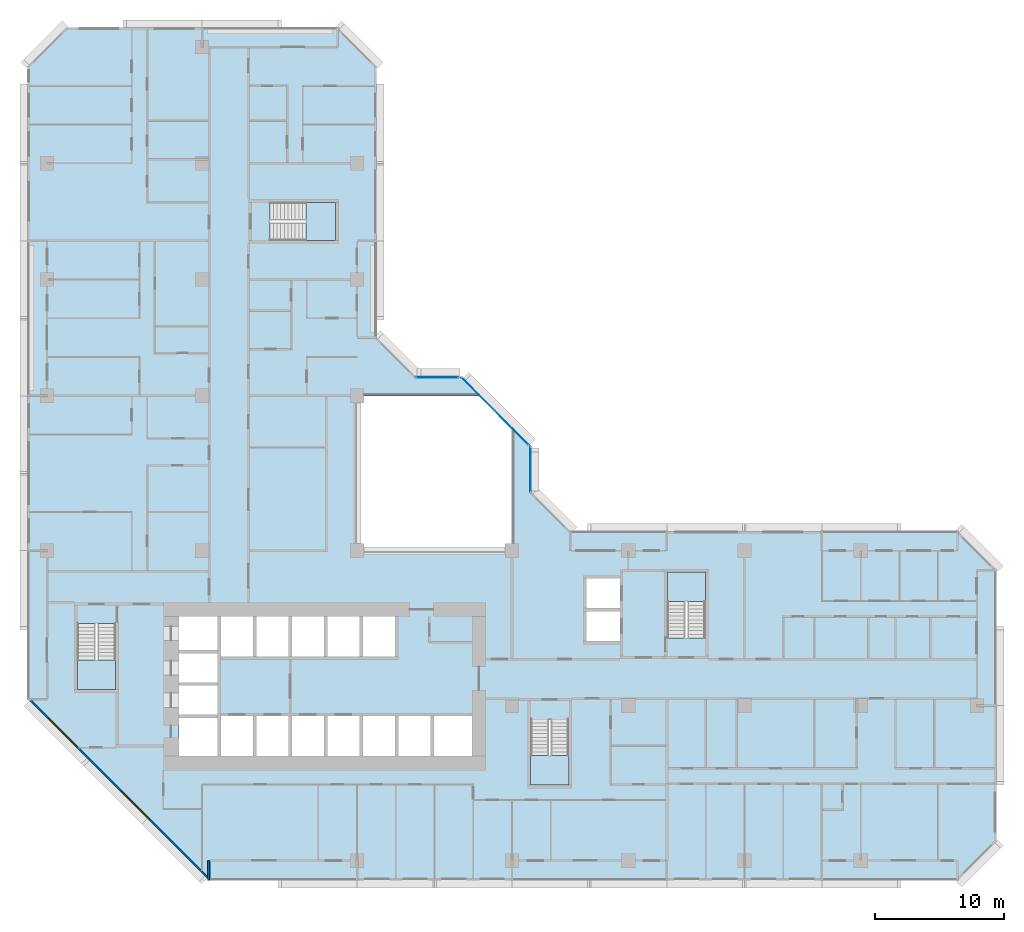
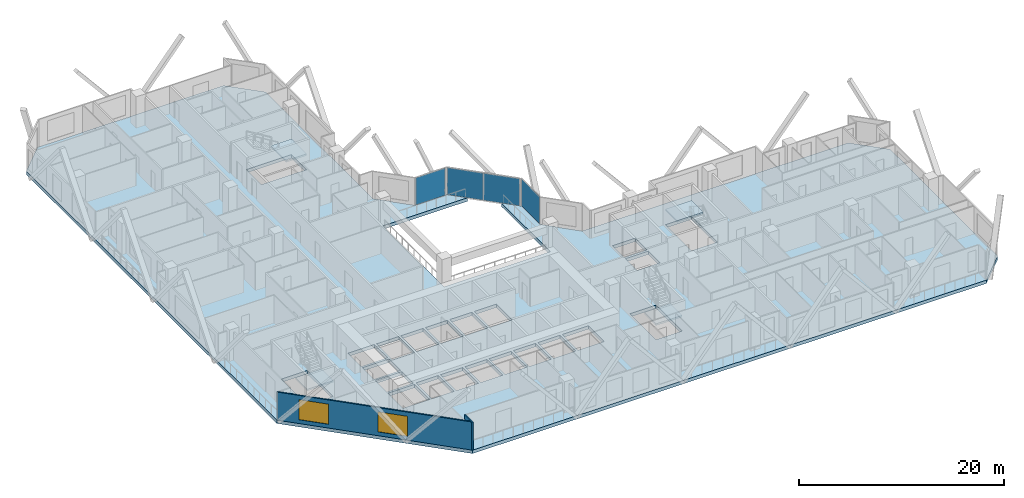
# One storey, part 3 of 16: 5 slabs, 4 plates, 2 walls, 2 windows, 2 openings, 7 elements without a shape of their own.
"""IFC4 building model written with IfcOpenShell, lengths in metres."""

from ifc_helpers import new_model, si_unit, direction, frame, frame_2d, origin, origin_2d, place, context, subcontext, project, spatial, polyline, rectangle, outline, extrude, material, layer, layer_set, type_object, element, fill, aggregate, save


model = new_model("IFC4")

# Units and contexts
model_context = context("Model", 3, precision=1e-05, world=origin(), true_north=direction((0.0, 1.0)))
body_context = subcontext(model_context, "Body", "Model", "MODEL_VIEW")
ifc_project = project(units=[si_unit("LENGTHUNIT", "METRE"), si_unit("AREAUNIT", "SQUARE_METRE"), si_unit("VOLUMEUNIT", "CUBIC_METRE"), si_unit("PLANEANGLEUNIT", "RADIAN"), si_unit("MASSUNIT", "GRAM", prefix="KILO")], contexts=[model_context])

# Site, building, storey
site_placement = place(None, origin())
site = spatial("IfcSite", under=ifc_project, at=site_placement, CompositionType="ELEMENT")
building_placement = place(site_placement, origin())
building = spatial("IfcBuilding", under=site, at=building_placement, Name="Chenar Terraces", CompositionType="ELEMENT")
storey_placement = place(building_placement, frame((0.0, 0.0, 71.39990234375)))
storey = spatial("IfcBuildingStorey", under=building, at=storey_placement, Name="L15", CompositionType="ELEMENT", Elevation=71.39990234375)

# Curtain wall, plate
ifc_material_1 = material(Name="Aluminium framed glazing", Category="aluminium")
ifc_layer_1 = layer(ifc_material_1, 0.14990234375)
ifc_layer_set_1 = layer_set([ifc_layer_1], Name="Aluminium framed glazing")
curtain_wall_type = type_object("IfcCurtainWallType", Name="Atrium curtain wall", PredefinedType="NOTDEFINED", material=ifc_layer_set_1)
placement_1 = place(storey_placement, origin())
curtain_wall_1 = element("IfcCurtainWall", 1, at=placement_1, inside=storey, type_object=curtain_wall_type, Name="Atrium curtain wall", PredefinedType="NOTDEFINED")
ifc_material_2 = material(Name="Low emissivity laminated glass, solar control coating", Category="glass")
ifc_layer_2 = layer(ifc_material_2, 0.028076171875)
ifc_layer_set_2 = layer_set([ifc_layer_2], Name="Low emissivity laminated glass, solar control coating")
plate_type = type_object("IfcPlateType", Name="Atrium glazing panel 28", PredefinedType="CURTAIN_PANEL", material=ifc_layer_set_2)
plate_1_placement = place(storey_placement, frame((37.425048828125, 30.300048828125, 0.06005859375), z_axis=(0.0, 0.0, 1.0), x_axis=(0.0, 1.0, 0.0)))
plate_1 = element("IfcPlate", 2, at=plate_1_placement, type_object=plate_type, Name="CW1-1 panel 1.1", PredefinedType="CURTAIN_PANEL", context=body_context, shape_type="SweptSolid", body=[
    extrude(rectangle(XDim=3.47998046875, YDim=0.028076171875, at=origin_2d()), origin(), (0.0, 0.0, 1.0), 3.22998046875),
])
aggregate(curtain_wall_1, [plate_1])

# Curtain wall, plates
curtain_wall_2 = element("IfcCurtainWall", 3, at=placement_1, inside=storey, type_object=curtain_wall_type, Name="Atrium curtain wall", PredefinedType="NOTDEFINED")
plate_2_placement = place(storey_placement, frame((35.980224609375, 33.513671875, 0.06005859375), z_axis=(0.0, 0.0, 1.0), x_axis=(-0.707106781187, 0.707106781187, 0.0)))
plate_2 = element("IfcPlate", 4, at=plate_2_placement, type_object=plate_type, Name="CW1-2 panel 1.1", PredefinedType="CURTAIN_PANEL", context=body_context, shape_type="SweptSolid", body=[
    extrude(rectangle(XDim=3.62841796875, YDim=0.028076171875, at=origin_2d()), origin(), (0.0, 0.0, 1.0), 3.22998046875),
])
plate_3_placement = place(storey_placement, frame((33.3720703125, 36.121826171875, 0.06005859375), z_axis=(0.0, 0.0, 1.0), x_axis=(-0.707106781187, 0.707106781187, 0.0)))
plate_3 = element("IfcPlate", 5, at=plate_3_placement, type_object=plate_type, Name="CW1-2 panel 2.1", PredefinedType="CURTAIN_PANEL", context=body_context, shape_type="SweptSolid", body=[
    extrude(rectangle(XDim=3.62841796875, YDim=0.028076171875, at=origin_2d()), origin(), (0.0, 0.0, 1.0), 3.22998046875),
])
aggregate(curtain_wall_2, [plate_2, plate_3])

# Curtain wall, plate
curtain_wall_3 = element("IfcCurtainWall", 6, at=placement_1, inside=storey, type_object=curtain_wall_type, Name="Atrium curtain wall", PredefinedType="NOTDEFINED")
plate_4_placement = place(storey_placement, frame((30.199951171875, 37.425048828125, 0.06005859375), z_axis=(0.0, 0.0, 1.0), x_axis=(-1.0, 0.0, 0.0)))
plate_4 = element("IfcPlate", 7, at=plate_4_placement, type_object=plate_type, Name="CW1-3 panel 1.1", PredefinedType="CURTAIN_PANEL", context=body_context, shape_type="SweptSolid", body=[
    extrude(rectangle(XDim=3.280029296875, YDim=0.028076171875, at=origin_2d()), origin(), (0.0, 0.0, 1.0), 3.22998046875),
])
aggregate(curtain_wall_3, [plate_4])

# Stair, slab
ifc_material_3 = material(Name="Reinforced concrete C40/50", Category="concrete")
stair_type = type_object("IfcStairType", Name="Core stair 1400 half-turn", PredefinedType="HALF_TURN_STAIR", material=ifc_material_3)
stair_1 = element("IfcStair", 8, at=placement_1, inside=storey, type_object=stair_type, Name="L15 Stair 1", PredefinedType="HALF_TURN_STAIR")
ifc_material_4 = material(Name="Reinforced concrete C40/50", Category="concrete")
ifc_layer_3 = layer(ifc_material_4, 0.199951171875)
ifc_layer_set_3 = layer_set([ifc_layer_3], Name="Reinforced concrete C40/50")
slab_type_1 = type_object("IfcSlabType", Name="Core stair landing 200", PredefinedType="LANDING", material=ifc_layer_set_3)
placement_2 = place(storey_placement, frame((0.0, 0.0, 1.675048828125)))
slab_1 = element("IfcSlab", 9, at=placement_2, type_object=slab_type_1, Name="ST1 landing 1", PredefinedType="LANDING", context=body_context, shape_type="SweptSolid", body=[
    extrude(outline(polyline([(2.35009765625, 15.550048828125), (2.35009765625, 13.25), (5.300048828125, 13.25), (5.300048828125, 15.550048828125), (2.35009765625, 15.550048828125)])), origin(), (0.0, 0.0, 1.0), 0.199951171875),
])
aggregate(stair_1, [slab_1])

stair_2 = element("IfcStair", 10, at=placement_1, inside=storey, type_object=stair_type, Name="L15 Stair 2", PredefinedType="HALF_TURN_STAIR")
slab_2 = element("IfcSlab", 11, at=placement_2, type_object=slab_type_1, Name="ST2 landing 1", PredefinedType="LANDING", context=body_context, shape_type="SweptSolid", body=[
    extrude(outline(polyline([(37.449951171875, 8.14990234375), (37.449951171875, 5.85009765625), (40.39990234375, 5.85009765625), (40.39990234375, 8.14990234375), (37.449951171875, 8.14990234375)])), origin(), (0.0, 0.0, 1.0), 0.199951171875),
])
aggregate(stair_2, [slab_2])

stair_3 = element("IfcStair", 12, at=placement_1, inside=storey, type_object=stair_type, Name="L15 Stair 3", PredefinedType="HALF_TURN_STAIR")
slab_3 = element("IfcSlab", 13, at=placement_2, type_object=slab_type_1, Name="ST3 landing 1", PredefinedType="LANDING", context=body_context, shape_type="SweptSolid", body=[
    extrude(outline(polyline([(50.97509765625, 20.050048828125), (50.97509765625, 22.35009765625), (48.02490234375, 22.35009765625), (48.02490234375, 20.050048828125), (50.97509765625, 20.050048828125)])), origin(), (0.0, 0.0, 1.0), 0.199951171875),
])
aggregate(stair_3, [slab_3])

stair_4 = element("IfcStair", 14, at=placement_1, inside=storey, type_object=stair_type, Name="L15 Stair 4", PredefinedType="HALF_TURN_STAIR")
slab_4 = element("IfcSlab", 15, at=placement_2, type_object=slab_type_1, Name="ST4 landing 1", PredefinedType="LANDING", context=body_context, shape_type="SweptSolid", body=[
    extrude(outline(polyline([(20.050048828125, 48.02490234375), (22.35009765625, 48.02490234375), (22.35009765625, 50.97509765625), (20.050048828125, 50.97509765625), (20.050048828125, 48.02490234375)])), origin(), (0.0, 0.0, 1.0), 0.199951171875),
])
aggregate(stair_4, [slab_4])

# Slab
ifc_material_5 = material(Name="Concrete C40/50", Category="concrete")
ifc_layer_4 = layer(ifc_material_5, 0.39990234375)
ifc_layer_set_4 = layer_set([ifc_layer_4], Name="Concrete C40/50")
slab_type_2 = type_object("IfcSlabType", Name="Floor slab 400 Concrete C40/50", PredefinedType="FLOOR", material=ifc_layer_set_4)
slab_5_placement = place(storey_placement, frame((0.0, 0.0, -0.39990234375)))
element("IfcSlab", 16, at=slab_5_placement, inside=storey, type_object=slab_type_2, Name="Floor slab L15", PredefinedType="FLOOR", context=body_context, shape_type="SweptSolid", body=[
    extrude(outline(polyline([(73.5, 22.5), (73.5, 1.5), (70.5, -1.5), (12.5, -1.5), (-1.5, 12.5), (-1.5, 61.5), (1.5, 64.5), (22.5, 64.5), (25.5, 61.5), (25.5, 40.5), (28.5, 37.5), (32.10009765625, 37.5), (33.60009765625, 36.0), (24.0, 36.0), (24.0, 24.0), (36.0, 24.0), (36.0, 33.60009765625), (37.5, 32.10009765625), (37.5, 28.5), (40.5, 25.5), (70.5, 25.5), (73.5, 22.5)]), holes=[polyline([(13.199951171875, 11.050048828125), (10.199951171875, 11.050048828125), (10.199951171875, 8.10009765625), (13.199951171875, 8.10009765625), (13.199951171875, 11.050048828125)]), polyline([(15.949951171875, 11.199951171875), (13.449951171875, 11.199951171875), (13.449951171875, 8.10009765625), (15.949951171875, 8.10009765625), (15.949951171875, 11.199951171875)]), polyline([(18.699951171875, 11.199951171875), (16.199951171875, 11.199951171875), (16.199951171875, 8.10009765625), (18.699951171875, 8.10009765625), (18.699951171875, 11.199951171875)]), polyline([(21.449951171875, 8.10009765625), (21.449951171875, 11.199951171875), (18.949951171875, 11.199951171875), (18.949951171875, 8.10009765625), (21.449951171875, 8.10009765625)]), polyline([(13.199951171875, 11.300048828125), (13.199951171875, 13.550048828125), (10.199951171875, 13.550048828125), (10.199951171875, 11.300048828125), (13.199951171875, 11.300048828125)]), polyline([(13.199951171875, 16.050048828125), (10.199951171875, 16.050048828125), (10.199951171875, 13.800048828125), (13.199951171875, 13.800048828125), (13.199951171875, 16.050048828125)]), polyline([(2.35009765625, 18.35009765625), (2.35009765625, 13.25), (5.300048828125, 13.25), (5.300048828125, 18.35009765625), (2.35009765625, 18.35009765625)]), polyline([(15.949951171875, 15.800048828125), (15.949951171875, 18.89990234375), (13.449951171875, 18.89990234375), (13.449951171875, 15.800048828125), (15.949951171875, 15.800048828125)]), polyline([(18.699951171875, 18.89990234375), (16.199951171875, 18.89990234375), (16.199951171875, 15.800048828125), (18.699951171875, 15.800048828125), (18.699951171875, 18.89990234375)]), polyline([(21.449951171875, 15.800048828125), (21.449951171875, 18.89990234375), (18.949951171875, 18.89990234375), (18.949951171875, 15.800048828125), (21.449951171875, 15.800048828125)]), polyline([(13.199951171875, 16.300048828125), (13.199951171875, 18.89990234375), (10.199951171875, 18.89990234375), (10.199951171875, 16.300048828125), (13.199951171875, 16.300048828125)]), polyline([(22.35009765625, 48.02490234375), (22.35009765625, 50.97509765625), (17.25, 50.97509765625), (17.25, 48.02490234375), (22.35009765625, 48.02490234375)]), polyline([(37.449951171875, 10.949951171875), (37.449951171875, 5.85009765625), (40.39990234375, 5.85009765625), (40.39990234375, 10.949951171875), (37.449951171875, 10.949951171875)]), polyline([(24.199951171875, 8.10009765625), (24.199951171875, 11.199951171875), (21.699951171875, 11.199951171875), (21.699951171875, 8.10009765625), (24.199951171875, 8.10009765625)]), polyline([(26.949951171875, 11.199951171875), (24.449951171875, 11.199951171875), (24.449951171875, 8.10009765625), (26.949951171875, 8.10009765625), (26.949951171875, 11.199951171875)]), polyline([(29.699951171875, 8.10009765625), (29.699951171875, 11.199951171875), (27.199951171875, 11.199951171875), (27.199951171875, 8.10009765625), (29.699951171875, 8.10009765625)]), polyline([(32.89990234375, 8.10009765625), (32.89990234375, 11.199951171875), (29.949951171875, 11.199951171875), (29.949951171875, 8.10009765625), (32.89990234375, 8.10009765625)]), polyline([(24.199951171875, 18.89990234375), (21.699951171875, 18.89990234375), (21.699951171875, 15.800048828125), (24.199951171875, 15.800048828125), (24.199951171875, 18.89990234375)]), polyline([(26.949951171875, 15.800048828125), (26.949951171875, 18.89990234375), (24.449951171875, 18.89990234375), (24.449951171875, 15.800048828125), (26.949951171875, 15.800048828125)]), polyline([(44.35009765625, 17.0), (44.35009765625, 19.300048828125), (41.75, 19.300048828125), (41.75, 17.0), (44.35009765625, 17.0)]), polyline([(50.97509765625, 22.35009765625), (48.02490234375, 22.35009765625), (48.02490234375, 17.25), (50.97509765625, 17.25), (50.97509765625, 22.35009765625)]), polyline([(44.35009765625, 19.550048828125), (44.35009765625, 21.85009765625), (41.75, 21.85009765625), (41.75, 19.550048828125), (44.35009765625, 19.550048828125)])]), origin(), (0.0, 0.0, 1.0), 0.39990234375),
])

# Wall
ifc_material_6 = material(Name="Terracotta cladding on insulated backing", Category="masonry")
ifc_layer_5 = layer(ifc_material_6, 0.14990234375)
ifc_layer_set_5 = layer_set([ifc_layer_5], Name="Terracotta cladding on insulated backing")
wall_type_1 = type_object("IfcWallType", Name="Loggia return wall 150", PredefinedType="SOLIDWALL", material=ifc_layer_set_5)
wall_1_placement = place(storey_placement, frame((12.5, -1.5, 0.0), z_axis=(0.0, 0.0, 1.0), x_axis=(0.0, 1.0, 0.0)))
element("IfcWall", 17, at=wall_1_placement, inside=storey, type_object=wall_type_1, Name="Loggia return wall", PredefinedType="SOLIDWALL", context=body_context, shape_type="SweptSolid", body=[
    extrude(rectangle(XDim=1.5, YDim=0.14990234375, at=frame_2d((0.75, 0.0))), origin(), (0.0, 0.0, 1.0), 3.35009765625),
])

# Wall, openings, windows
ifc_material_7 = material(Name="Terracotta cladding on insulated backing", Category="masonry")
ifc_layer_6 = layer(ifc_material_7, 0.14990234375)
ifc_layer_set_6 = layer_set([ifc_layer_6], Name="Terracotta cladding on insulated backing")
wall_type_2 = type_object("IfcWallType", Name="Terracotta rainscreen wall 150", PredefinedType="SOLIDWALL", material=ifc_layer_set_6)
wall_2_placement = place(storey_placement, frame((-1.447021484375, 12.552978515625, 0.0), z_axis=(0.0, 0.0, 1.0), x_axis=(0.707106781187, -0.707106781187, 0.0)))
wall_2 = element("IfcWall", 18, at=wall_2_placement, inside=storey, type_object=wall_type_2, Name="Terracotta rainscreen wall", PredefinedType="SOLIDWALL", context=body_context, shape_type="SweptSolid", body=[
    extrude(rectangle(XDim=19.799072265625, YDim=0.14990234375, at=frame_2d((9.8994140625, 0.0))), origin(), (0.0, 0.0, 1.0), 3.35009765625),
])
opening_1_placement = place(wall_2_placement, frame((2.21240234375, 0.0, 0.449951171875)))
opening_1 = element("IfcOpeningElement", 19, at=opening_1_placement, cuts=wall_2, Name="Opening W300x240", PredefinedType="OPENING", context=body_context, shape_type="SweptSolid", body=[
    extrude(rectangle(XDim=3.0, YDim=2.39990234375, at=frame_2d((1.5, 1.199951171875))), frame((0.0, 0.0849609375, 0.0), z_axis=(0.0, -1.0, 0.0), x_axis=(1.0, 0.0, 0.0)), (0.0, 0.0, 1.0), 0.169921875),
])
opening_2_placement = place(wall_2_placement, frame((10.215576171875, 0.0, 0.449951171875)))
opening_2 = element("IfcOpeningElement", 20, at=opening_2_placement, cuts=wall_2, Name="Opening W300x240", PredefinedType="OPENING", context=body_context, shape_type="SweptSolid", body=[
    extrude(rectangle(XDim=3.0, YDim=2.39990234375, at=frame_2d((1.5, 1.199951171875))), frame((0.0, 0.0849609375, 0.0), z_axis=(0.0, -1.0, 0.0), x_axis=(1.0, 0.0, 0.0)), (0.0, 0.0, 1.0), 0.169921875),
])
ifc_material_8 = material(Name="Low emissivity double glazing, aluminium frame", Category="aluminium")
window_type = type_object("IfcWindowType", Name="Fixed light 3000 x 2400", PartitioningType="SINGLE_PANEL", PredefinedType="WINDOW", material=ifc_material_8)
window_1_placement = place(opening_1_placement, origin())
window_1 = element("IfcWindow", 21, at=window_1_placement, inside=storey, type_object=window_type, Name="Window", OverallHeight=2.39990234375, OverallWidth=3.0, PartitioningType="SINGLE_PANEL", PredefinedType="WINDOW", context=body_context, shape_type="SweptSolid", body=[
    extrude(rectangle(XDim=3.0, YDim=2.39990234375, at=frame_2d((1.5, 1.199951171875))), frame((0.0, 0.030029296875, 0.0), z_axis=(0.0, -1.0, 0.0), x_axis=(1.0, 0.0, 0.0)), (0.0, 0.0, 1.0), 0.06005859375),
])
fill(opening_1, window_1)
window_2_placement = place(opening_2_placement, origin())
window_2 = element("IfcWindow", 22, at=window_2_placement, inside=storey, type_object=window_type, Name="Window", OverallHeight=2.39990234375, OverallWidth=3.0, PartitioningType="SINGLE_PANEL", PredefinedType="WINDOW", context=body_context, shape_type="SweptSolid", body=[
    extrude(rectangle(XDim=3.0, YDim=2.39990234375, at=frame_2d((1.5, 1.199951171875))), frame((0.0, 0.030029296875, 0.0), z_axis=(0.0, -1.0, 0.0), x_axis=(1.0, 0.0, 0.0)), (0.0, 0.0, 1.0), 0.06005859375),
])
fill(opening_2, window_2)

save(model, "model.ifc")
